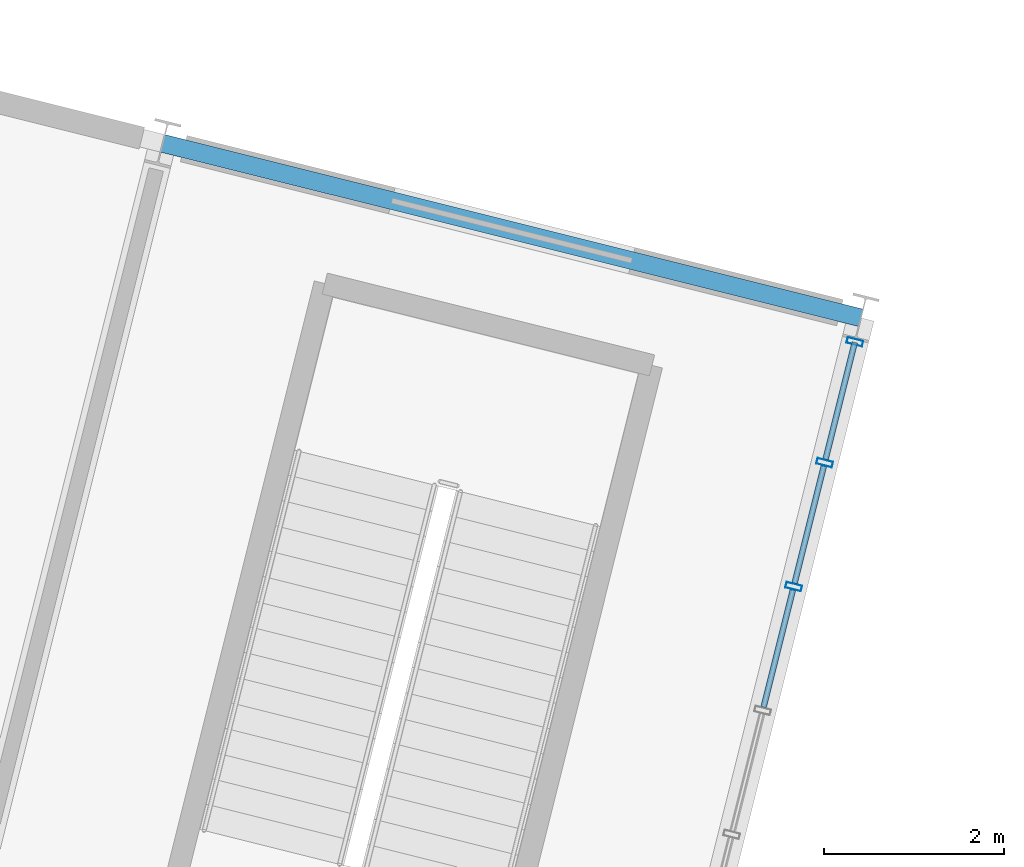
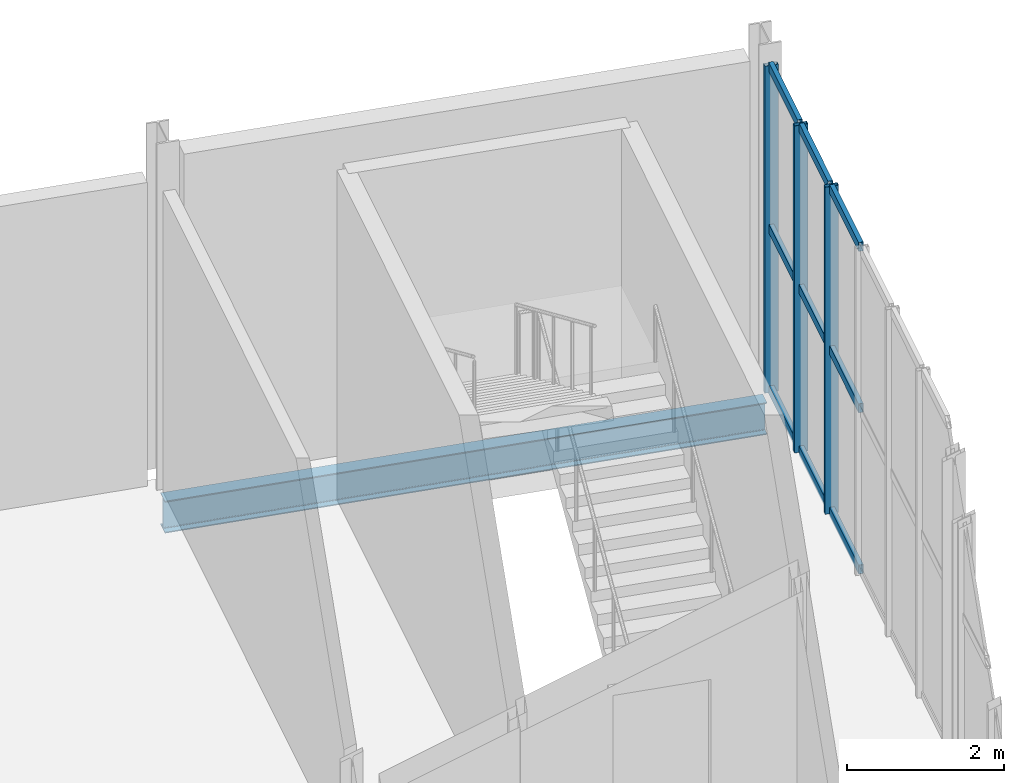
# One storey, part 104 of 158: 12 members, 1 beam, 1 element without a shape of its own.
"""IFC4 building model written with IfcOpenShell, lengths in metres."""

from ifc_helpers import new_model, si_unit, derived_unit, direction, frame, origin, origin_2d, place, context, subcontext, project, spatial, hollow_rectangle, i_section, extrude, material, material_profile, profile_set, type_object, element, aggregate, save


model = new_model("IFC4")

# Units and contexts
model_context = context("Model", 3, precision=1e-05, world=origin(), true_north=direction((0.0, 1.0)))
body_context = subcontext(model_context, "Body", "Model", "MODEL_VIEW")
ifc_project = project(units=[si_unit("LENGTHUNIT", "METRE"), si_unit("AREAUNIT", "SQUARE_METRE"), si_unit("VOLUMEUNIT", "CUBIC_METRE"), si_unit("PLANEANGLEUNIT", "RADIAN"), si_unit("MASSUNIT", "GRAM", prefix="KILO"), si_unit("THERMODYNAMICTEMPERATUREUNIT", "KELVIN"), si_unit("TIMEUNIT", "SECOND"), derived_unit("THERMALTRANSMITTANCEUNIT", [(si_unit("MASSUNIT", "GRAM", prefix="KILO"), 1), (si_unit("THERMODYNAMICTEMPERATUREUNIT", "KELVIN"), -1), (si_unit("TIMEUNIT", "SECOND"), -3)])], contexts=[model_context])

# Site, building, storey
site_placement = place(None, origin())
site = spatial("IfcSite", under=ifc_project, at=site_placement, CompositionType="ELEMENT")
building_placement = place(site_placement, origin())
building = spatial("IfcBuilding", under=site, at=building_placement, Name="Cambertide Market Hall", CompositionType="ELEMENT")
storey_placement = place(building_placement, origin())
storey = spatial("IfcBuildingStorey", under=building, at=storey_placement, Name="L01", CompositionType="ELEMENT", Elevation=0.0)

# Curtain wall, members
ifc_material_1 = material(Name="Marine Anodized Aluminium 6063-T6 AA25", Category="aluminium")
curtain_wall_type = type_object("IfcCurtainWallType", Name="Cooking School Ground Showcase Wall", PredefinedType="USERDEFINED", material=ifc_material_1)
curtain_wall_placement = place(storey_placement, origin())
curtain_wall = element("IfcCurtainWall", 1, at=curtain_wall_placement, inside=storey, type_object=curtain_wall_type, Name="Level 1 Curtain Wall CW-V4E-L01-3", ObjectType="UNITIZED CURTAIN WALL", PredefinedType="USERDEFINED")
ifc_material_2 = material(Name="Champagne Marine Anodized Aluminium 6063-T6 AA25", Category="aluminium")
ifc_material_profile_1 = material_profile(ifc_material_2, hollow_rectangle(XDim=0.06494140625, YDim=0.179931640625, WallThickness=0.00390625, at=origin_2d()), Name="ALU MULLION 65x180")
ifc_profile_set_1 = profile_set([ifc_material_profile_1], Name="Champagne Marine Anodized Aluminium 6063-T6 AA25")
member_type_1 = type_object("IfcMemberType", Name="Curtain Wall Mullion ALU MULLION 65x180", PredefinedType="MULLION", material=ifc_profile_set_1)
member_1_placement = place(storey_placement, frame((176.57080078125, 110.40478515625, 0.0), z_axis=(0.0, 0.0, 1.0), x_axis=(-0.242535569805, -0.970142513953, 0.0)))
member_1 = element("IfcMember", 2, at=member_1_placement, type_object=member_type_1, Name="CW-V4E-L01-3 Mullion 1", PredefinedType="MULLION", context=body_context, shape_type="SweptSolid", body=[
    extrude(hollow_rectangle(XDim=0.06494140625, YDim=0.179931640625, WallThickness=0.00390625, at=origin_2d()), origin(), (0.0, 0.0, 1.0), 5.10009765625),
])
member_2_placement = place(storey_placement, frame((176.23486328125, 109.06103515625, 0.0), z_axis=(0.0, 0.0, 1.0), x_axis=(-0.242535569805, -0.970142513953, 0.0)))
member_2 = element("IfcMember", 3, at=member_2_placement, type_object=member_type_1, Name="CW-V4E-L01-3 Mullion 2", PredefinedType="MULLION", context=body_context, shape_type="SweptSolid", body=[
    extrude(hollow_rectangle(XDim=0.06494140625, YDim=0.179931640625, WallThickness=0.00390625, at=origin_2d()), origin(), (0.0, 0.0, 1.0), 5.10009765625),
])
member_3_placement = place(storey_placement, frame((175.890625, 107.68359375, 0.0), z_axis=(0.0, 0.0, 1.0), x_axis=(-0.242535569805, -0.970142513953, 0.0)))
member_3 = element("IfcMember", 4, at=member_3_placement, type_object=member_type_1, Name="CW-V4E-L01-3 Mullion 3", PredefinedType="MULLION", context=body_context, shape_type="SweptSolid", body=[
    extrude(hollow_rectangle(XDim=0.06494140625, YDim=0.179931640625, WallThickness=0.00390625, at=origin_2d()), origin(), (0.0, 0.0, 1.0), 5.10009765625),
])
ifc_material_3 = material(Name="Champagne Marine Anodized Aluminium 6063-T6 AA25", Category="aluminium")
ifc_material_profile_2 = material_profile(ifc_material_3, hollow_rectangle(XDim=0.06494140625, YDim=0.139892578125, WallThickness=0.00341796875, at=origin_2d()), Name="ALU TRANSOM 65x140")
ifc_profile_set_2 = profile_set([ifc_material_profile_2], Name="Champagne Marine Anodized Aluminium 6063-T6 AA25")
member_type_2 = type_object("IfcMemberType", Name="Curtain Wall Transom ALU TRANSOM 65x140", PredefinedType="USERDEFINED", material=ifc_profile_set_2)
member_4_placement = place(storey_placement, frame((176.569580078125, 110.39990234375, 0.034912109375), z_axis=(-0.242492756941, -0.970153216163, 0.0), x_axis=(0.970153216163, -0.242492756941, 0.0)))
member_4 = element("IfcMember", 5, at=member_4_placement, type_object=member_type_2, Name="CW-V4E-L01-3 Transom 1-1", ObjectType="TRANSOM", PredefinedType="USERDEFINED", context=body_context, shape_type="SweptSolid", body=[
    extrude(hollow_rectangle(XDim=0.06494140625, YDim=0.139892578125, WallThickness=0.00341796875, at=origin_2d()), origin(), (0.0, 0.0, 1.0), 1.340087890625),
])
member_5_placement = place(storey_placement, frame((176.225341796875, 109.022216796875, 0.034912109375), z_axis=(-0.242535625036, -0.970142500145, 0.0), x_axis=(0.970142500145, -0.242535625036, 0.0)))
member_5 = element("IfcMember", 6, at=member_5_placement, type_object=member_type_2, Name="CW-V4E-L01-3 Transom 1-2", ObjectType="TRANSOM", PredefinedType="USERDEFINED", context=body_context, shape_type="SweptSolid", body=[
    extrude(hollow_rectangle(XDim=0.06494140625, YDim=0.139892578125, WallThickness=0.00341796875, at=origin_2d()), origin(), (0.0, 0.0, 1.0), 1.33984375),
])
member_6_placement = place(storey_placement, frame((175.880859375, 107.644775390625, 0.034912109375), z_axis=(-0.242492756941, -0.970153216163, 0.0), x_axis=(0.970153216163, -0.242492756941, 0.0)))
member_6 = element("IfcMember", 7, at=member_6_placement, type_object=member_type_2, Name="CW-V4E-L01-3 Transom 1-3", ObjectType="TRANSOM", PredefinedType="USERDEFINED", context=body_context, shape_type="SweptSolid", body=[
    extrude(hollow_rectangle(XDim=0.06494140625, YDim=0.139892578125, WallThickness=0.00341796875, at=origin_2d()), origin(), (0.0, 0.0, 1.0), 1.340087890625),
])
member_7_placement = place(storey_placement, frame((176.569580078125, 110.39990234375, 2.550048828125), z_axis=(-0.242492756941, -0.970153216163, 0.0), x_axis=(0.970153216163, -0.242492756941, 0.0)))
member_7 = element("IfcMember", 8, at=member_7_placement, type_object=member_type_2, Name="CW-V4E-L01-3 Transom 2-1", ObjectType="TRANSOM", PredefinedType="USERDEFINED", context=body_context, shape_type="SweptSolid", body=[
    extrude(hollow_rectangle(XDim=0.06494140625, YDim=0.139892578125, WallThickness=0.00341796875, at=origin_2d()), origin(), (0.0, 0.0, 1.0), 1.340087890625),
])
member_8_placement = place(storey_placement, frame((176.225341796875, 109.022216796875, 2.550048828125), z_axis=(-0.242535625036, -0.970142500145, 0.0), x_axis=(0.970142500145, -0.242535625036, 0.0)))
member_8 = element("IfcMember", 9, at=member_8_placement, type_object=member_type_2, Name="CW-V4E-L01-3 Transom 2-2", ObjectType="TRANSOM", PredefinedType="USERDEFINED", context=body_context, shape_type="SweptSolid", body=[
    extrude(hollow_rectangle(XDim=0.06494140625, YDim=0.139892578125, WallThickness=0.00341796875, at=origin_2d()), origin(), (0.0, 0.0, 1.0), 1.33984375),
])
member_9_placement = place(storey_placement, frame((175.880859375, 107.644775390625, 2.550048828125), z_axis=(-0.242492756941, -0.970153216163, 0.0), x_axis=(0.970153216163, -0.242492756941, 0.0)))
member_9 = element("IfcMember", 10, at=member_9_placement, type_object=member_type_2, Name="CW-V4E-L01-3 Transom 2-3", ObjectType="TRANSOM", PredefinedType="USERDEFINED", context=body_context, shape_type="SweptSolid", body=[
    extrude(hollow_rectangle(XDim=0.06494140625, YDim=0.139892578125, WallThickness=0.00341796875, at=origin_2d()), origin(), (0.0, 0.0, 1.0), 1.340087890625),
])
member_10_placement = place(storey_placement, frame((176.569580078125, 110.39990234375, 5.06494140625), z_axis=(-0.242492756941, -0.970153216163, 0.0), x_axis=(0.970153216163, -0.242492756941, 0.0)))
member_10 = element("IfcMember", 11, at=member_10_placement, type_object=member_type_2, Name="CW-V4E-L01-3 Transom 3-1", ObjectType="TRANSOM", PredefinedType="USERDEFINED", context=body_context, shape_type="SweptSolid", body=[
    extrude(hollow_rectangle(XDim=0.06494140625, YDim=0.139892578125, WallThickness=0.00341796875, at=origin_2d()), origin(), (0.0, 0.0, 1.0), 1.340087890625),
])
member_11_placement = place(storey_placement, frame((176.225341796875, 109.022216796875, 5.06494140625), z_axis=(-0.242535625036, -0.970142500145, 0.0), x_axis=(0.970142500145, -0.242535625036, 0.0)))
member_11 = element("IfcMember", 12, at=member_11_placement, type_object=member_type_2, Name="CW-V4E-L01-3 Transom 3-2", ObjectType="TRANSOM", PredefinedType="USERDEFINED", context=body_context, shape_type="SweptSolid", body=[
    extrude(hollow_rectangle(XDim=0.06494140625, YDim=0.139892578125, WallThickness=0.00341796875, at=origin_2d()), origin(), (0.0, 0.0, 1.0), 1.33984375),
])
member_12_placement = place(storey_placement, frame((175.880859375, 107.644775390625, 5.06494140625), z_axis=(-0.242492756941, -0.970153216163, 0.0), x_axis=(0.970153216163, -0.242492756941, 0.0)))
member_12 = element("IfcMember", 13, at=member_12_placement, type_object=member_type_2, Name="CW-V4E-L01-3 Transom 3-3", ObjectType="TRANSOM", PredefinedType="USERDEFINED", context=body_context, shape_type="SweptSolid", body=[
    extrude(hollow_rectangle(XDim=0.06494140625, YDim=0.139892578125, WallThickness=0.00341796875, at=origin_2d()), origin(), (0.0, 0.0, 1.0), 1.340087890625),
])
aggregate(curtain_wall, [member_1, member_2, member_3, member_4, member_5, member_6, member_7, member_8, member_9, member_10, member_11, member_12])

# Beam
ifc_material_4 = material(Name="Steel S355", Category="steel")
ifc_material_profile_3 = material_profile(ifc_material_4, i_section(OverallWidth=0.199951171875, OverallDepth=0.5, WebThickness=0.01025390625, FlangeThickness=0.01611328125, FilletRadius=0.02099609375, at=origin_2d()), Name="IPE 500")
ifc_profile_set_3 = profile_set([ifc_material_profile_3], Name="Steel S355")
beam_type = type_object("IfcBeamType", Name="Steel Girder IPE 500", PredefinedType="BEAM", material=ifc_profile_set_3)
beam_placement = place(storey_placement, frame((168.87646484375, 112.61181640625, -0.550048828125), z_axis=(0.970146090314, -0.242521263911, 0.0), x_axis=(0.242521263911, 0.970146090314, 0.0)))
element("IfcBeam", 14, at=beam_placement, inside=storey, type_object=beam_type, Name="Level 1 Beam BM-V4U-L01-8-4", PredefinedType="BEAM", context=body_context, shape_type="SweptSolid", body=[
    extrude(i_section(OverallWidth=0.199951171875, OverallDepth=0.5, WebThickness=0.01025390625, FlangeThickness=0.01611328125, FilletRadius=0.02099609375, at=origin_2d()), origin(), (0.0, 0.0, 1.0), 8.0),
])

save(model, "model.ifc")
